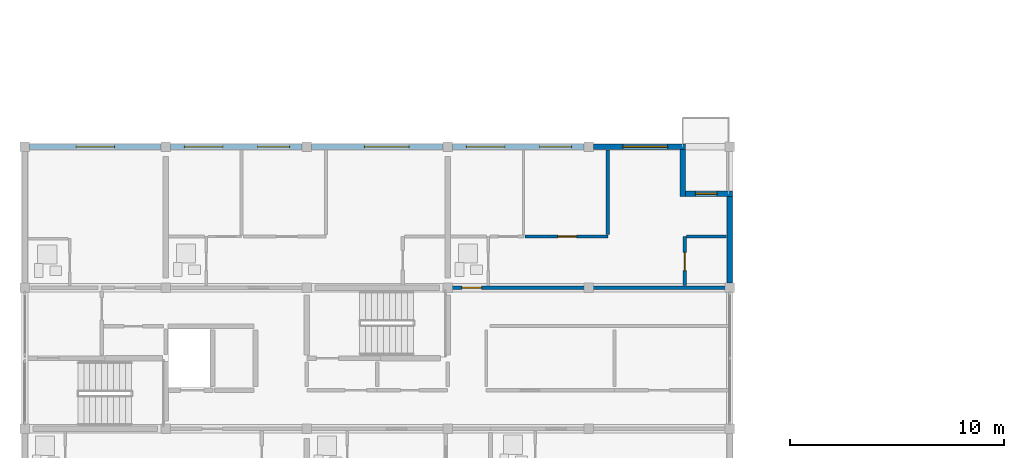
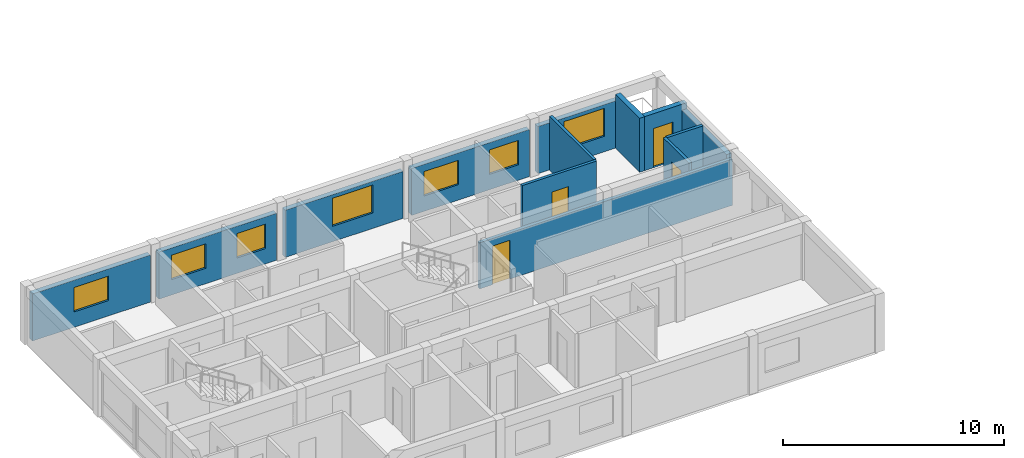
# One storey, part 23 of 34: 13 walls, 7 windows, 4 doors, 11 openings.
"""IFC4 building model written with IfcOpenShell, lengths in metres."""

from ifc_helpers import new_model, si_unit, direction, frame, frame_2d, origin, place, context, subcontext, project, spatial, rectangle, extrude, material, layer, layer_set, type_object, element, fill, save


model = new_model("IFC4")

# Units and contexts
model_context = context("Model", 3, precision=1e-05, world=origin(), true_north=direction((0.0, 1.0)))
body_context = subcontext(model_context, "Body", "Model", "MODEL_VIEW")
ifc_project = project(units=[si_unit("LENGTHUNIT", "METRE"), si_unit("AREAUNIT", "SQUARE_METRE"), si_unit("VOLUMEUNIT", "CUBIC_METRE"), si_unit("PLANEANGLEUNIT", "RADIAN"), si_unit("MASSUNIT", "GRAM", prefix="KILO")], contexts=[model_context])

# Site, building, storey
site_placement = place(None, origin())
site = spatial("IfcSite", under=ifc_project, at=site_placement, CompositionType="ELEMENT")
building_placement = place(site_placement, origin())
building = spatial("IfcBuilding", under=site, at=building_placement, Name="Kernevlak Ridge Housing Community", CompositionType="ELEMENT")
storey_placement = place(building_placement, frame((0.0, 0.0, 40.39990234375)))
storey = spatial("IfcBuildingStorey", under=building, at=storey_placement, Name="L12", CompositionType="ELEMENT", Elevation=40.39990234375)

# Wall, opening, window
ifc_material_1 = material(Name="Concrete block masonry M10", Category="masonry")
ifc_layer_1 = layer(ifc_material_1, 0.260009765625, Name="Concrete block masonry M10")
ifc_layer_set_1 = layer_set([ifc_layer_1], Name="Concrete block masonry M10")
wall_type_1 = type_object("IfcWallType", Name="EW-05", PredefinedType="STANDARD", material=ifc_layer_set_1)
wall_1_placement = place(storey_placement, frame((15.824951171875, 95.800048828125, 0.0), z_axis=(0.0, 0.0, 1.0), x_axis=(1.0, 0.0, 0.0)))
wall_1 = element("IfcWall", 1, at=wall_1_placement, inside=storey, type_object=wall_type_1, Name="Exterior wall EW-05 L12 194", PredefinedType="STANDARD", context=body_context, shape_type="SweptSolid", body=[
    extrude(rectangle(XDim=6.150146484375, YDim=0.260009765625, at=frame_2d((3.0751953125, 0.0))), origin(), (0.0, 0.0, 1.0), 2.60009765625),
])
opening_1_placement = place(wall_1_placement, frame((2.175048828125, 0.0, 0.85009765625)))
opening_1 = element("IfcOpeningElement", 2, at=opening_1_placement, cuts=wall_1, Name="Opening WT-03", PredefinedType="OPENING", context=body_context, shape_type="SweptSolid", body=[
    extrude(rectangle(XDim=1.800048828125, YDim=1.35009765625, at=frame_2d((0.89990234375, 0.675048828125))), frame((0.0, 0.139892578125, 0.0), z_axis=(0.0, -1.0, 0.0), x_axis=(1.0, 0.0, 0.0)), (0.0, 0.0, 1.0), 0.280029296875),
])
ifc_material_2 = material(Name="Aluminium EN AW-6060 anodised and laminated glass", Category="aluminium")
window_type_1 = type_object("IfcWindowType", Name="WT-03", PartitioningType="SINGLE_PANEL", PredefinedType="WINDOW", material=ifc_material_2)
window_1_placement = place(opening_1_placement, origin())
window_1 = element("IfcWindow", 3, at=window_1_placement, inside=storey, type_object=window_type_1, Name="Window WT-03 L12 154", OverallHeight=1.35009765625, OverallWidth=1.800048828125, PartitioningType="SINGLE_PANEL", PredefinedType="WINDOW", context=body_context, shape_type="SweptSolid", body=[
    extrude(rectangle(XDim=1.800048828125, YDim=1.35009765625, at=frame_2d((0.89990234375, 0.675048828125))), frame((0.0, 0.030029296875, 0.0), z_axis=(0.0, -1.0, 0.0), x_axis=(1.0, 0.0, 0.0)), (0.0, 0.0, 1.0), 0.06005859375),
])
fill(opening_1, window_1)

# Wall, openings, windows
wall_2_placement = place(storey_placement, frame((22.425048828125, 95.800048828125, 0.0), z_axis=(0.0, 0.0, 1.0), x_axis=(1.0, 0.0, 0.0)))
wall_2 = element("IfcWall", 4, at=wall_2_placement, inside=storey, type_object=wall_type_1, Name="Exterior wall EW-05 L12 195", PredefinedType="STANDARD", context=body_context, shape_type="SweptSolid", body=[
    extrude(rectangle(XDim=6.14990234375, YDim=0.260009765625, at=frame_2d((3.074951171875, 0.0))), origin(), (0.0, 0.0, 1.0), 2.60009765625),
])
opening_2_placement = place(wall_2_placement, frame((0.64990234375, 0.0, 0.85009765625)))
opening_2 = element("IfcOpeningElement", 5, at=opening_2_placement, cuts=wall_2, Name="Opening WT-03", PredefinedType="OPENING", context=body_context, shape_type="SweptSolid", body=[
    extrude(rectangle(XDim=1.800048828125, YDim=1.35009765625, at=frame_2d((0.89990234375, 0.675048828125))), frame((0.0, 0.139892578125, 0.0), z_axis=(0.0, -1.0, 0.0), x_axis=(1.0, 0.0, 0.0)), (0.0, 0.0, 1.0), 0.280029296875),
])
opening_3_placement = place(wall_2_placement, frame((4.074951171875, 0.0, 0.85009765625)))
opening_3 = element("IfcOpeningElement", 6, at=opening_3_placement, cuts=wall_2, Name="Opening WT-02", PredefinedType="OPENING", context=body_context, shape_type="SweptSolid", body=[
    extrude(rectangle(XDim=1.5, YDim=1.35009765625, at=frame_2d((0.75, 0.675048828125))), frame((0.0, 0.139892578125, 0.0), z_axis=(0.0, -1.0, 0.0), x_axis=(1.0, 0.0, 0.0)), (0.0, 0.0, 1.0), 0.280029296875),
])
window_type_2 = type_object("IfcWindowType", Name="WT-02", PartitioningType="SINGLE_PANEL", PredefinedType="WINDOW", material=ifc_material_2)
window_2_placement = place(opening_3_placement, origin())
window_2 = element("IfcWindow", 7, at=window_2_placement, inside=storey, type_object=window_type_2, Name="Window WT-02 L12 156", OverallHeight=1.35009765625, OverallWidth=1.5, PartitioningType="SINGLE_PANEL", PredefinedType="WINDOW", context=body_context, shape_type="SweptSolid", body=[
    extrude(rectangle(XDim=1.5, YDim=1.35009765625, at=frame_2d((0.75, 0.675048828125))), frame((0.0, 0.030029296875, 0.0), z_axis=(0.0, -1.0, 0.0), x_axis=(1.0, 0.0, 0.0)), (0.0, 0.0, 1.0), 0.06005859375),
])
fill(opening_3, window_2)
window_3_placement = place(opening_2_placement, origin())
window_3 = element("IfcWindow", 8, at=window_3_placement, inside=storey, type_object=window_type_1, Name="Window WT-03 L12 155", OverallHeight=1.35009765625, OverallWidth=1.800048828125, PartitioningType="SINGLE_PANEL", PredefinedType="WINDOW", context=body_context, shape_type="SweptSolid", body=[
    extrude(rectangle(XDim=1.800048828125, YDim=1.35009765625, at=frame_2d((0.89990234375, 0.675048828125))), frame((0.0, 0.030029296875, 0.0), z_axis=(0.0, -1.0, 0.0), x_axis=(1.0, 0.0, 0.0)), (0.0, 0.0, 1.0), 0.06005859375),
])
fill(opening_2, window_3)

# Wall, opening, window
wall_3_placement = place(storey_placement, frame((29.02490234375, 95.800048828125, 0.0), z_axis=(0.0, 0.0, 1.0), x_axis=(1.0, 0.0, 0.0)))
wall_3 = element("IfcWall", 9, at=wall_3_placement, inside=storey, type_object=wall_type_1, Name="Exterior wall EW-05 L12 196", PredefinedType="STANDARD", context=body_context, shape_type="SweptSolid", body=[
    extrude(rectangle(XDim=6.150146484375, YDim=0.260009765625, at=frame_2d((3.0751953125, 0.0))), origin(), (0.0, 0.0, 1.0), 2.60009765625),
])
opening_4_placement = place(wall_3_placement, frame((2.470947265625, 0.0, 0.85009765625)))
opening_4 = element("IfcOpeningElement", 10, at=opening_4_placement, cuts=wall_3, Name="Opening WT-05", PredefinedType="OPENING", context=body_context, shape_type="SweptSolid", body=[
    extrude(rectangle(XDim=2.10009765625, YDim=1.550048828125, at=frame_2d((1.050048828125, 0.77490234375))), frame((0.0, 0.139892578125, 0.0), z_axis=(0.0, -1.0, 0.0), x_axis=(1.0, 0.0, 0.0)), (0.0, 0.0, 1.0), 0.280029296875),
])
window_type_3 = type_object("IfcWindowType", Name="WT-05", PartitioningType="SINGLE_PANEL", PredefinedType="WINDOW", material=ifc_material_2)
window_4_placement = place(opening_4_placement, origin())
window_4 = element("IfcWindow", 11, at=window_4_placement, inside=storey, type_object=window_type_3, Name="Window WT-05 L12 157", OverallHeight=1.550048828125, OverallWidth=2.10009765625, PartitioningType="SINGLE_PANEL", PredefinedType="WINDOW", context=body_context, shape_type="SweptSolid", body=[
    extrude(rectangle(XDim=2.10009765625, YDim=1.550048828125, at=frame_2d((1.050048828125, 0.77490234375))), frame((0.0, 0.030029296875, 0.0), z_axis=(0.0, -1.0, 0.0), x_axis=(1.0, 0.0, 0.0)), (0.0, 0.0, 1.0), 0.06005859375),
])
fill(opening_4, window_4)

# Wall, openings, windows
wall_4_placement = place(storey_placement, frame((35.625, 95.800048828125, 0.0), z_axis=(0.0, 0.0, 1.0), x_axis=(1.0, 0.0, 0.0)))
wall_4 = element("IfcWall", 12, at=wall_4_placement, inside=storey, type_object=wall_type_1, Name="Exterior wall EW-05 L12 197", PredefinedType="STANDARD", context=body_context, shape_type="SweptSolid", body=[
    extrude(rectangle(XDim=6.14990234375, YDim=0.260009765625, at=frame_2d((3.074951171875, 0.0))), origin(), (0.0, 0.0, 1.0), 2.60009765625),
])
opening_5_placement = place(wall_4_placement, frame((0.64990234375, 0.0, 0.85009765625)))
opening_5 = element("IfcOpeningElement", 13, at=opening_5_placement, cuts=wall_4, Name="Opening WT-03", PredefinedType="OPENING", context=body_context, shape_type="SweptSolid", body=[
    extrude(rectangle(XDim=1.800048828125, YDim=1.35009765625, at=frame_2d((0.89990234375, 0.675048828125))), frame((0.0, 0.139892578125, 0.0), z_axis=(0.0, -1.0, 0.0), x_axis=(1.0, 0.0, 0.0)), (0.0, 0.0, 1.0), 0.280029296875),
])
opening_6_placement = place(wall_4_placement, frame((4.074951171875, 0.0, 0.85009765625)))
opening_6 = element("IfcOpeningElement", 14, at=opening_6_placement, cuts=wall_4, Name="Opening WT-02", PredefinedType="OPENING", context=body_context, shape_type="SweptSolid", body=[
    extrude(rectangle(XDim=1.5, YDim=1.35009765625, at=frame_2d((0.75, 0.675048828125))), frame((0.0, 0.139892578125, 0.0), z_axis=(0.0, -1.0, 0.0), x_axis=(1.0, 0.0, 0.0)), (0.0, 0.0, 1.0), 0.280029296875),
])
window_5_placement = place(opening_6_placement, origin())
window_5 = element("IfcWindow", 15, at=window_5_placement, inside=storey, type_object=window_type_2, Name="Window WT-02 L12 159", OverallHeight=1.35009765625, OverallWidth=1.5, PartitioningType="SINGLE_PANEL", PredefinedType="WINDOW", context=body_context, shape_type="SweptSolid", body=[
    extrude(rectangle(XDim=1.5, YDim=1.35009765625, at=frame_2d((0.75, 0.675048828125))), frame((0.0, 0.030029296875, 0.0), z_axis=(0.0, -1.0, 0.0), x_axis=(1.0, 0.0, 0.0)), (0.0, 0.0, 1.0), 0.06005859375),
])
fill(opening_6, window_5)
window_6_placement = place(opening_5_placement, origin())
window_6 = element("IfcWindow", 16, at=window_6_placement, inside=storey, type_object=window_type_1, Name="Window WT-03 L12 158", OverallHeight=1.35009765625, OverallWidth=1.800048828125, PartitioningType="SINGLE_PANEL", PredefinedType="WINDOW", context=body_context, shape_type="SweptSolid", body=[
    extrude(rectangle(XDim=1.800048828125, YDim=1.35009765625, at=frame_2d((0.89990234375, 0.675048828125))), frame((0.0, 0.030029296875, 0.0), z_axis=(0.0, -1.0, 0.0), x_axis=(1.0, 0.0, 0.0)), (0.0, 0.0, 1.0), 0.06005859375),
])
fill(opening_5, window_6)

# Wall, opening, window
wall_5_placement = place(storey_placement, frame((42.22509765625, 95.800048828125, 0.0), z_axis=(0.0, 0.0, 1.0), x_axis=(1.0, 0.0, 0.0)))
wall_5 = element("IfcWall", 17, at=wall_5_placement, inside=storey, type_object=wall_type_1, Name="Exterior wall EW-05 L12 198", PredefinedType="STANDARD", context=body_context, shape_type="SweptSolid", body=[
    extrude(rectangle(XDim=4.304931640625, YDim=0.260009765625, at=frame_2d((2.15234375, 0.0))), origin(), (0.0, 0.0, 1.0), 2.60009765625),
])
opening_7_placement = place(wall_5_placement, frame((1.37109375, 0.0, 0.85009765625)))
opening_7 = element("IfcOpeningElement", 18, at=opening_7_placement, cuts=wall_5, Name="Opening WT-05", PredefinedType="OPENING", context=body_context, shape_type="SweptSolid", body=[
    extrude(rectangle(XDim=2.10009765625, YDim=1.550048828125, at=frame_2d((1.050048828125, 0.77490234375))), frame((0.0, 0.139892578125, 0.0), z_axis=(0.0, -1.0, 0.0), x_axis=(1.0, 0.0, 0.0)), (0.0, 0.0, 1.0), 0.280029296875),
])
window_7_placement = place(opening_7_placement, origin())
window_7 = element("IfcWindow", 19, at=window_7_placement, inside=storey, type_object=window_type_3, Name="Window WT-05 L12 160", OverallHeight=1.550048828125, OverallWidth=2.10009765625, PartitioningType="SINGLE_PANEL", PredefinedType="WINDOW", context=body_context, shape_type="SweptSolid", body=[
    extrude(rectangle(XDim=2.10009765625, YDim=1.550048828125, at=frame_2d((1.050048828125, 0.77490234375))), frame((0.0, 0.030029296875, 0.0), z_axis=(0.0, -1.0, 0.0), x_axis=(1.0, 0.0, 0.0)), (0.0, 0.0, 1.0), 0.06005859375),
])
fill(opening_7, window_7)

# Wall
wall_6_placement = place(storey_placement, frame((46.39990234375, 95.669921875, 0.0), z_axis=(0.0, 0.0, 1.0), x_axis=(0.0, -1.0, 0.0)))
element("IfcWall", 20, at=wall_6_placement, inside=storey, type_object=wall_type_1, Name="Exterior wall EW-05 L12 199", PredefinedType="STANDARD", context=body_context, shape_type="SweptSolid", body=[
    extrude(rectangle(XDim=2.199951171875, YDim=0.260009765625, at=frame_2d((1.10009765625, 0.0))), origin(), (0.0, 0.0, 1.0), 2.97998046875),
])

# Wall, opening, door
wall_7_placement = place(storey_placement, frame((46.530029296875, 93.60009765625, 0.0), z_axis=(0.0, 0.0, 1.0), x_axis=(1.0, 0.0, 0.0)))
wall_7 = element("IfcWall", 21, at=wall_7_placement, inside=storey, type_object=wall_type_1, Name="Exterior wall EW-05 L12 200", PredefinedType="STANDARD", context=body_context, shape_type="SweptSolid", body=[
    extrude(rectangle(XDim=2.199951171875, YDim=0.260009765625, at=frame_2d((1.10009765625, 0.0))), origin(), (0.0, 0.0, 1.0), 2.97998046875),
])
opening_8_placement = place(wall_7_placement, frame((0.4599609375, 0.0, 0.0)))
opening_8 = element("IfcOpeningElement", 22, at=opening_8_placement, cuts=wall_7, Name="Opening D414", PredefinedType="OPENING", context=body_context, shape_type="SweptSolid", body=[
    extrude(rectangle(XDim=1.02001953125, YDim=2.159912109375, at=frame_2d((0.510009765625, 1.080078125))), frame((0.0, 0.139892578125, 0.0), z_axis=(0.0, -1.0, 0.0), x_axis=(1.0, 0.0, 0.0)), (0.0, 0.0, 1.0), 0.280029296875),
])
ifc_material_3 = material(Name="Aluminium EN AW-6060 and laminated safety glass", Category="aluminium")
door_type_1 = type_object("IfcDoorType", Name="DT-33", OperationType="NOTDEFINED", PredefinedType="DOOR", material=ifc_material_3)
door_1_placement = place(opening_8_placement, origin())
door_1 = element("IfcDoor", 23, at=door_1_placement, inside=storey, type_object=door_type_1, Name="Flat A1223 corner balcony glazed door D414", OperationType="SINGLE_SWING_RIGHT", OverallHeight=2.159912109375, OverallWidth=1.02001953125, PredefinedType="DOOR", context=body_context, shape_type="SweptSolid", body=[
    extrude(rectangle(XDim=1.02001953125, YDim=2.159912109375, at=frame_2d((0.510009765625, 1.080078125))), frame((0.0, 0.02490234375, 0.0), z_axis=(0.0, -1.0, 0.0), x_axis=(1.0, 0.0, 0.0)), (0.0, 0.0, 1.0), 0.050048828125),
])
fill(opening_8, door_1)

# Wall
wall_8_placement = place(storey_placement, frame((48.60009765625, 89.425048828125, 0.0), z_axis=(0.0, 0.0, 1.0), x_axis=(0.0, 1.0, 0.0)))
element("IfcWall", 24, at=wall_8_placement, inside=storey, type_object=wall_type_1, Name="Exterior wall EW-05 L12 204", PredefinedType="STANDARD", context=body_context, shape_type="SweptSolid", body=[
    extrude(rectangle(XDim=4.044921875, YDim=0.260009765625, at=frame_2d((2.0224609375, 0.0))), origin(), (0.0, 0.0, 1.0), 2.650146484375),
])

# Wall, opening, door
ifc_layer_2 = layer(ifc_material_1, 0.175048828125, Name="Concrete block masonry M10")
ifc_layer_set_2 = layer_set([ifc_layer_2], Name="Concrete block masonry M10")
wall_type_2 = type_object("IfcWallType", Name="PW-02", PredefinedType="PARTITIONING", material=ifc_layer_set_2)
wall_9_placement = place(storey_placement, frame((35.39990234375, 89.199951171875, 0.0), z_axis=(0.0, 0.0, 1.0), x_axis=(1.0, 0.0, 0.0)))
wall_9 = element("IfcWall", 25, at=wall_9_placement, inside=storey, type_object=wall_type_2, Name="Interior wall PW-02 WAL-INT-L12-0810", PredefinedType="PARTITIONING", context=body_context, shape_type="SweptSolid", body=[
    extrude(rectangle(XDim=13.2001953125, YDim=0.175048828125, at=frame_2d((6.60009765625, 0.0))), origin(), (0.0, 0.0, 1.0), 2.550048828125),
])
opening_9_placement = place(wall_9_placement, frame((0.669921875, 0.0, 0.0)))
opening_9 = element("IfcOpeningElement", 26, at=opening_9_placement, cuts=wall_9, Name="Opening D409", PredefinedType="OPENING", context=body_context, shape_type="SweptSolid", body=[
    extrude(rectangle(XDim=0.919921875, YDim=2.139892578125, at=frame_2d((0.4599609375, 1.06982421875))), frame((0.0, 0.097412109375, 0.0), z_axis=(0.0, -1.0, 0.0), x_axis=(1.0, 0.0, 0.0)), (0.0, 0.0, 1.0), 0.195068359375),
])
ifc_material_4 = material(Name="Hardwood timber solid-core fire leaf", Category="wood")
door_type_2 = type_object("IfcDoorType", Name="DT-20", OperationType="NOTDEFINED", PredefinedType="DOOR", material=ifc_material_4)
door_2_placement = place(opening_9_placement, origin())
door_2 = element("IfcDoor", 27, at=door_2_placement, inside=storey, type_object=door_type_2, Name="Flat A1223 entrance fire door D409", OperationType="SINGLE_SWING_LEFT", OverallHeight=2.139892578125, OverallWidth=0.919921875, PredefinedType="DOOR", context=body_context, shape_type="SweptSolid", body=[
    extrude(rectangle(XDim=0.919921875, YDim=2.139892578125, at=frame_2d((0.4599609375, 1.06982421875))), frame((0.0, 0.02490234375, 0.0), z_axis=(0.0, -1.0, 0.0), x_axis=(1.0, 0.0, 0.0)), (0.0, 0.0, 1.0), 0.050048828125),
])
fill(opening_9, door_2)

ifc_layer_3 = layer(ifc_material_1, 0.14501953125, Name="Concrete block masonry M10")
ifc_layer_set_3 = layer_set([ifc_layer_3], Name="Concrete block masonry M10")
wall_type_3 = type_object("IfcWallType", Name="PW-03", PredefinedType="PARTITIONING", material=ifc_layer_set_3)
wall_10_placement = place(storey_placement, frame((39.012451171875, 91.60009765625, 0.0), z_axis=(0.0, 0.0, 1.0), x_axis=(1.0, 0.0, 0.0)))
wall_10 = element("IfcWall", 28, at=wall_10_placement, inside=storey, type_object=wall_type_3, Name="Interior wall PW-03 WAL-INT-L12-0817", PredefinedType="PARTITIONING", context=body_context, shape_type="SweptSolid", body=[
    extrude(rectangle(XDim=3.879638671875, YDim=0.14501953125, at=frame_2d((1.93994140625, 0.0))), origin(), (0.0, 0.0, 1.0), 2.97998046875),
])
opening_10_placement = place(wall_10_placement, frame((1.5458984375, 0.0, 0.0)))
opening_10 = element("IfcOpeningElement", 29, at=opening_10_placement, cuts=wall_10, Name="Opening D413", PredefinedType="OPENING", context=body_context, shape_type="SweptSolid", body=[
    extrude(rectangle(XDim=0.8701171875, YDim=2.080078125, at=frame_2d((0.43505859375, 1.0400390625))), frame((0.0, 0.08251953125, 0.0), z_axis=(0.0, -1.0, 0.0), x_axis=(1.0, 0.0, 0.0)), (0.0, 0.0, 1.0), 0.1650390625),
])
ifc_material_5 = material(Name="Hardwood timber leaf", Category="wood")
door_type_3 = type_object("IfcDoorType", Name="DT-32", OperationType="NOTDEFINED", PredefinedType="DOOR", material=ifc_material_5)
door_3_placement = place(opening_10_placement, origin())
door_3 = element("IfcDoor", 30, at=door_3_placement, inside=storey, type_object=door_type_3, Name="Flat A1223 bedroom door D413", OperationType="SINGLE_SWING_LEFT", OverallHeight=2.080078125, OverallWidth=0.8701171875, PredefinedType="DOOR", context=body_context, shape_type="SweptSolid", body=[
    extrude(rectangle(XDim=0.8701171875, YDim=2.080078125, at=frame_2d((0.43505859375, 1.0400390625))), frame((0.0, 0.02490234375, 0.0), z_axis=(0.0, -1.0, 0.0), x_axis=(1.0, 0.0, 0.0)), (0.0, 0.0, 1.0), 0.050048828125),
])
fill(opening_10, door_3)

# Wall
wall_11_placement = place(storey_placement, frame((42.89208984375, 91.6826171875, 0.0), z_axis=(0.0, 0.0, 1.0), x_axis=(0.0, 1.0, 0.0)))
element("IfcWall", 31, at=wall_11_placement, inside=storey, type_object=wall_type_3, Name="Interior wall PW-03 WAL-INT-L12-0818", PredefinedType="PARTITIONING", context=body_context, shape_type="SweptSolid", body=[
    extrude(rectangle(XDim=3.977294921875, YDim=0.14501953125, at=frame_2d((1.98876953125, 0.0))), origin(), (0.0, 0.0, 1.0), 2.97998046875),
])

# Wall, opening, door
ifc_material_6 = material(Name="Gypsum plasterboard EN 520", Category="gypsum")
ifc_layer_4 = layer(ifc_material_6, 0.155029296875, Name="Gypsum plasterboard EN 520")
ifc_layer_set_4 = layer_set([ifc_layer_4], Name="Gypsum plasterboard EN 520")
wall_type_4 = type_object("IfcWallType", Name="PW-05", PredefinedType="PARTITIONING", material=ifc_layer_set_4)
wall_12_placement = place(storey_placement, frame((46.5, 89.297607421875, 0.0), z_axis=(0.0, 0.0, 1.0), x_axis=(0.0, 1.0, 0.0)))
wall_12 = element("IfcWall", 32, at=wall_12_placement, inside=storey, type_object=wall_type_4, Name="Interior wall PW-05 WAL-INT-L12-0813", PredefinedType="PARTITIONING", context=body_context, shape_type="SweptSolid", body=[
    extrude(rectangle(XDim=2.302490234375, YDim=0.155029296875, at=frame_2d((1.1513671875, 0.0))), origin(), (0.0, 0.0, 1.0), 2.97998046875),
])
opening_11_placement = place(wall_12_placement, frame((0.699951171875, 0.0, 0.0)))
opening_11 = element("IfcOpeningElement", 33, at=opening_11_placement, cuts=wall_12, Name="Opening D411", PredefinedType="OPENING", context=body_context, shape_type="SweptSolid", body=[
    extrude(rectangle(XDim=0.860107421875, YDim=2.1201171875, at=frame_2d((0.43017578125, 1.06005859375))), frame((0.0, 0.08740234375, 0.0), z_axis=(0.0, -1.0, 0.0), x_axis=(1.0, 0.0, 0.0)), (0.0, 0.0, 1.0), 0.175048828125),
])
door_type_4 = type_object("IfcDoorType", Name="DT-28", OperationType="NOTDEFINED", PredefinedType="DOOR", material=ifc_material_5)
door_4_placement = place(opening_11_placement, origin())
door_4 = element("IfcDoor", 34, at=door_4_placement, inside=storey, type_object=door_type_4, Name="Flat A1223 kitchen door D411", OperationType="SINGLE_SWING_LEFT", OverallHeight=2.1201171875, OverallWidth=0.860107421875, PredefinedType="DOOR", context=body_context, shape_type="SweptSolid", body=[
    extrude(rectangle(XDim=0.860107421875, YDim=2.1201171875, at=frame_2d((0.43017578125, 1.06005859375))), frame((0.0, 0.02490234375, 0.0), z_axis=(0.0, -1.0, 0.0), x_axis=(1.0, 0.0, 0.0)), (0.0, 0.0, 1.0), 0.050048828125),
])
fill(opening_11, door_4)

# Wall
wall_13_placement = place(storey_placement, frame((46.58740234375, 91.60009765625, 0.0), z_axis=(0.0, 0.0, 1.0), x_axis=(1.0, 0.0, 0.0)))
element("IfcWall", 35, at=wall_13_placement, inside=storey, type_object=wall_type_4, Name="Interior wall PW-05 WAL-INT-L12-0814", PredefinedType="PARTITIONING", context=body_context, shape_type="SweptSolid", body=[
    extrude(rectangle(XDim=1.87255859375, YDim=0.155029296875, at=frame_2d((0.936279296875, 0.0))), origin(), (0.0, 0.0, 1.0), 2.97998046875),
])

save(model, "model.ifc")
